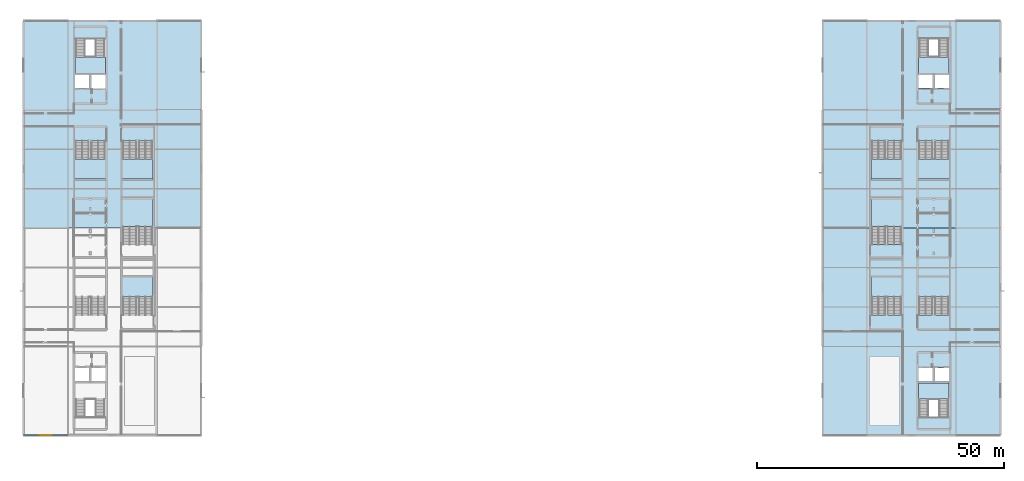
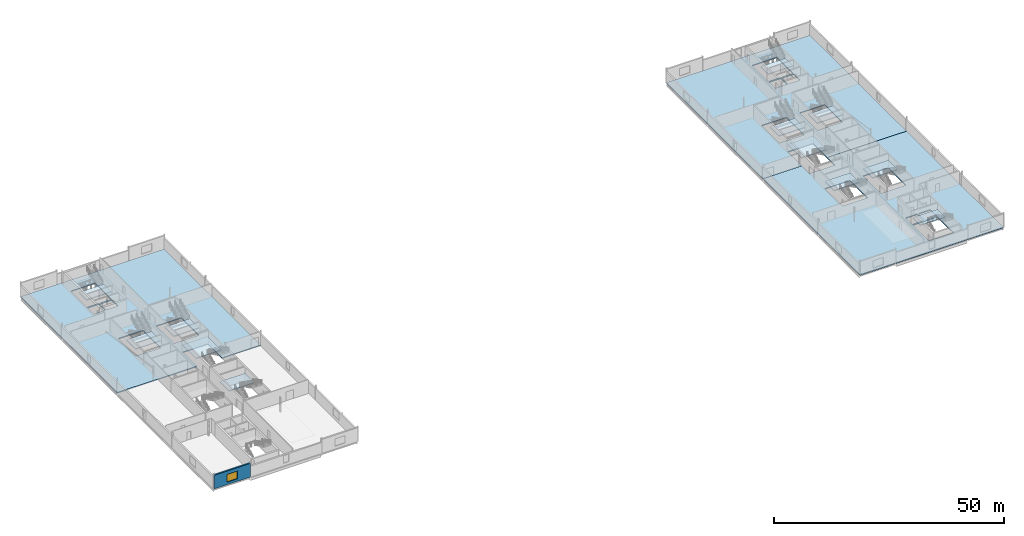
# One storey, part 18 of 35: 15 slabs, 1 wall, 1 window, 1 opening, 12 elements without a shape of their own.
"""IFC4 building model written with IfcOpenShell, lengths in metres."""

from ifc_helpers import new_model, si_unit, direction, frame, frame_2d, origin, place, context, subcontext, project, spatial, polyline, rectangle, outline, extrude, material, layer, layer_set, type_object, element, fill, aggregate, save


model = new_model("IFC4")

# Units and contexts
model_context = context("Model", 3, precision=1e-05, world=origin(), true_north=direction((0.0, 1.0)))
body_context = subcontext(model_context, "Body", "Model", "MODEL_VIEW")
ifc_project = project(units=[si_unit("LENGTHUNIT", "METRE"), si_unit("AREAUNIT", "SQUARE_METRE"), si_unit("VOLUMEUNIT", "CUBIC_METRE"), si_unit("PLANEANGLEUNIT", "RADIAN"), si_unit("MASSUNIT", "GRAM", prefix="KILO")], contexts=[model_context])

# Site, building, storey
site_placement = place(None, origin())
site = spatial("IfcSite", under=ifc_project, at=site_placement, CompositionType="ELEMENT")
building_placement = place(site_placement, origin())
building = spatial("IfcBuilding", under=site, at=building_placement, Name="Kisiwana Market Hall", CompositionType="ELEMENT")
storey_placement = place(building_placement, frame((0.0, 0.0, 61.800048828125)))
storey = spatial("IfcBuildingStorey", under=building, at=storey_placement, Name="L14", CompositionType="ELEMENT", Elevation=61.800048828125)

# Stair, slab
ifc_material_1 = material(Name="Concrete C32/40", Category="concrete")
stair_type_1 = type_object("IfcStairType", Name="ST-TWR-3900", PredefinedType="TWO_STRAIGHT_RUN_STAIR", material=ifc_material_1)
stair_1_placement = place(storey_placement, origin())
stair_1 = element("IfcStair", 1, at=stair_1_placement, inside=storey, type_object=stair_type_1, Name="Escape stair ST-W1-L14", PredefinedType="TWO_STRAIGHT_RUN_STAIR")
ifc_material_2 = material(Name="Concrete C32/40", Category="concrete")
ifc_layer_1 = layer(ifc_material_2, 0.239990234375)
ifc_layer_set_1 = layer_set([ifc_layer_1], Name="SL-LANDING-160")
slab_type_1 = type_object("IfcSlabType", Name="SL-LANDING-160", PredefinedType="LANDING", material=ifc_layer_set_1)
slab_1_placement = place(storey_placement, frame((0.0, 0.0, 1.7099609375)))
slab_1 = element("IfcSlab", 2, at=slab_1_placement, type_object=slab_type_1, Name="ST-W1-L14 landing 1 S-449", PredefinedType="LANDING", context=body_context, shape_type="SweptSolid", body=[
    extrude(outline(polyline([(10.405029296875, 91.35498046875), (16.594970703125, 91.35498046875), (16.594970703125, 94.666015625), (10.405029296875, 94.666015625), (10.405029296875, 91.35498046875)])), origin(), (0.0, 0.0, 1.0), 0.239990234375),
])
aggregate(stair_1, [slab_1])

stair_2_placement = place(storey_placement, origin())
stair_2 = element("IfcStair", 3, at=stair_2_placement, inside=storey, type_object=stair_type_1, Name="Escape stair ST-E2-L14", PredefinedType="TWO_STRAIGHT_RUN_STAIR")
slab_2_placement = place(storey_placement, frame((0.0, 0.0, 1.7099609375)))
slab_2 = element("IfcSlab", 4, at=slab_2_placement, type_object=slab_type_1, Name="ST-E2-L14 landing 1 S-443", PredefinedType="LANDING", context=body_context, shape_type="SweptSolid", body=[
    extrude(outline(polyline([(181.3798828125, 25.30908203125), (187.6201171875, 25.30908203125), (187.6201171875, 28.6201171875), (181.3798828125, 28.6201171875), (181.3798828125, 25.30908203125)])), origin(), (0.0, 0.0, 1.0), 0.239990234375),
])
aggregate(stair_2, [slab_2])

stair_3_placement = place(storey_placement, origin())
stair_3 = element("IfcStair", 5, at=stair_3_placement, inside=storey, type_object=stair_type_1, Name="Escape stair ST-E1-L14", PredefinedType="TWO_STRAIGHT_RUN_STAIR")
slab_3_placement = place(storey_placement, frame((0.0, 0.0, 1.7099609375)))
slab_3 = element("IfcSlab", 6, at=slab_3_placement, type_object=slab_type_1, Name="ST-E1-L14 landing 1 S-442", PredefinedType="LANDING", context=body_context, shape_type="SweptSolid", body=[
    extrude(outline(polyline([(181.3798828125, 91.3798828125), (187.6201171875, 91.3798828125), (187.6201171875, 94.69091796875), (181.3798828125, 94.69091796875), (181.3798828125, 91.3798828125)])), origin(), (0.0, 0.0, 1.0), 0.239990234375),
])
aggregate(stair_3, [slab_3])

ifc_material_3 = material(Name="Concrete C32/40", Category="concrete")
stair_type_2 = type_object("IfcStairType", Name="ST-ESC-3900", PredefinedType="TWO_STRAIGHT_RUN_STAIR", material=ifc_material_3)
stair_4_placement = place(storey_placement, origin())
stair_4 = element("IfcStair", 7, at=stair_4_placement, inside=storey, type_object=stair_type_2, Name="Escape stair ST-W4-L14", PredefinedType="TWO_STRAIGHT_RUN_STAIR")
slab_4_placement = place(storey_placement, frame((0.0, 0.0, 1.7099609375)))
slab_4 = element("IfcSlab", 8, at=slab_4_placement, type_object=slab_type_1, Name="ST-W4-L14 landing 1 S-452", PredefinedType="LANDING", context=body_context, shape_type="SweptSolid", body=[
    extrude(outline(polyline([(10.340087890625, 69.93994140625), (16.659912109375, 69.93994140625), (16.659912109375, 73.98046875), (10.340087890625, 73.98046875), (10.340087890625, 69.93994140625)])), origin(), (0.0, 0.0, 1.0), 0.239990234375),
])
aggregate(stair_4, [slab_4])

stair_5_placement = place(storey_placement, origin())
stair_5 = element("IfcStair", 9, at=stair_5_placement, inside=storey, type_object=stair_type_2, Name="Escape stair ST-E3-L14", PredefinedType="TWO_STRAIGHT_RUN_STAIR")
slab_5_placement = place(storey_placement, frame((0.0, 0.0, 1.7099609375)))
slab_5 = element("IfcSlab", 10, at=slab_5_placement, type_object=slab_type_1, Name="ST-E3-L14 landing 1 S-444", PredefinedType="LANDING", context=body_context, shape_type="SweptSolid", body=[
    extrude(outline(polyline([(181.340087890625, 46.01953125), (187.659912109375, 46.01953125), (187.659912109375, 50.06005859375), (181.340087890625, 50.06005859375), (181.340087890625, 46.01953125)])), origin(), (0.0, 0.0, 1.0), 0.239990234375),
])
aggregate(stair_5, [slab_5])

stair_6_placement = place(storey_placement, origin())
stair_6 = element("IfcStair", 11, at=stair_6_placement, inside=storey, type_object=stair_type_2, Name="Escape stair ST-E4-L14", PredefinedType="TWO_STRAIGHT_RUN_STAIR")
slab_6_placement = place(storey_placement, frame((0.0, 0.0, 1.7099609375)))
slab_6 = element("IfcSlab", 12, at=slab_6_placement, type_object=slab_type_1, Name="ST-E4-L14 landing 1 S-445", PredefinedType="LANDING", context=body_context, shape_type="SweptSolid", body=[
    extrude(outline(polyline([(181.340087890625, 69.93994140625), (187.659912109375, 69.93994140625), (187.659912109375, 73.98046875), (181.340087890625, 73.98046875), (181.340087890625, 69.93994140625)])), origin(), (0.0, 0.0, 1.0), 0.239990234375),
])
aggregate(stair_6, [slab_6])

stair_7_placement = place(storey_placement, origin())
stair_7 = element("IfcStair", 13, at=stair_7_placement, inside=storey, type_object=stair_type_2, Name="Escape stair ST-W7-L14", PredefinedType="TWO_STRAIGHT_RUN_STAIR")
slab_7_placement = place(storey_placement, frame((0.0, 0.0, 1.7099609375)))
slab_7 = element("IfcSlab", 14, at=slab_7_placement, type_object=slab_type_1, Name="ST-W7-L14 landing 1 S-454", PredefinedType="LANDING", context=body_context, shape_type="SweptSolid", body=[
    extrude(outline(polyline([(19.93994140625, 46.01953125), (26.260009765625, 46.01953125), (26.260009765625, 50.06005859375), (19.93994140625, 50.06005859375), (19.93994140625, 46.01953125)])), origin(), (0.0, 0.0, 1.0), 0.239990234375),
])
aggregate(stair_7, [slab_7])

stair_8_placement = place(storey_placement, origin())
stair_8 = element("IfcStair", 15, at=stair_8_placement, inside=storey, type_object=stair_type_2, Name="Escape stair ST-E7-L14", PredefinedType="TWO_STRAIGHT_RUN_STAIR")
slab_8_placement = place(storey_placement, frame((0.0, 0.0, 1.7099609375)))
slab_8 = element("IfcSlab", 16, at=slab_8_placement, type_object=slab_type_1, Name="ST-E7-L14 landing 1 S-447", PredefinedType="LANDING", context=body_context, shape_type="SweptSolid", body=[
    extrude(outline(polyline([(171.739990234375, 46.01953125), (178.06005859375, 46.01953125), (178.06005859375, 50.06005859375), (171.739990234375, 50.06005859375), (171.739990234375, 46.01953125)])), origin(), (0.0, 0.0, 1.0), 0.239990234375),
])
aggregate(stair_8, [slab_8])

stair_9_placement = place(storey_placement, origin())
stair_9 = element("IfcStair", 17, at=stair_9_placement, inside=storey, type_object=stair_type_2, Name="Escape stair ST-W8-L14", PredefinedType="TWO_STRAIGHT_RUN_STAIR")
slab_9_placement = place(storey_placement, frame((0.0, 0.0, 1.7099609375)))
slab_9 = element("IfcSlab", 18, at=slab_9_placement, type_object=slab_type_1, Name="ST-W8-L14 landing 1 S-455", PredefinedType="LANDING", context=body_context, shape_type="SweptSolid", body=[
    extrude(outline(polyline([(19.93994140625, 69.93994140625), (26.260009765625, 69.93994140625), (26.260009765625, 73.98046875), (19.93994140625, 73.98046875), (19.93994140625, 69.93994140625)])), origin(), (0.0, 0.0, 1.0), 0.239990234375),
])
aggregate(stair_9, [slab_9])

stair_10_placement = place(storey_placement, origin())
stair_10 = element("IfcStair", 19, at=stair_10_placement, inside=storey, type_object=stair_type_2, Name="Escape stair ST-E8-L14", PredefinedType="TWO_STRAIGHT_RUN_STAIR")
slab_10_placement = place(storey_placement, frame((0.0, 0.0, 1.7099609375)))
slab_10 = element("IfcSlab", 20, at=slab_10_placement, type_object=slab_type_1, Name="ST-E8-L14 landing 1 S-448", PredefinedType="LANDING", context=body_context, shape_type="SweptSolid", body=[
    extrude(outline(polyline([(171.739990234375, 69.93994140625), (178.06005859375, 69.93994140625), (178.06005859375, 73.98046875), (171.739990234375, 73.98046875), (171.739990234375, 69.93994140625)])), origin(), (0.0, 0.0, 1.0), 0.239990234375),
])
aggregate(stair_10, [slab_10])

stair_11_placement = place(storey_placement, origin())
stair_11 = element("IfcStair", 21, at=stair_11_placement, inside=storey, type_object=stair_type_2, Name="Escape stair ST-W5-L14", PredefinedType="TWO_STRAIGHT_RUN_STAIR")
slab_11_placement = place(storey_placement, frame((0.0, 0.0, 1.7099609375)))
slab_11 = element("IfcSlab", 22, at=slab_11_placement, type_object=slab_type_1, Name="ST-W5-L14 landing 1 S-453", PredefinedType="LANDING", context=body_context, shape_type="SweptSolid", body=[
    extrude(outline(polyline([(19.93994140625, 60.299560546875), (26.260009765625, 60.299560546875), (26.260009765625, 66.179931640625), (19.93994140625, 66.179931640625), (19.93994140625, 60.299560546875)])), origin(), (0.0, 0.0, 1.0), 0.239990234375),
])
aggregate(stair_11, [slab_11])

stair_12_placement = place(storey_placement, origin())
stair_12 = element("IfcStair", 23, at=stair_12_placement, inside=storey, type_object=stair_type_2, Name="Escape stair ST-E5-L14", PredefinedType="TWO_STRAIGHT_RUN_STAIR")
slab_12_placement = place(storey_placement, frame((0.0, 0.0, 1.7099609375)))
slab_12 = element("IfcSlab", 24, at=slab_12_placement, type_object=slab_type_1, Name="ST-E5-L14 landing 1 S-446", PredefinedType="LANDING", context=body_context, shape_type="SweptSolid", body=[
    extrude(outline(polyline([(171.739990234375, 60.299560546875), (178.06005859375, 60.299560546875), (178.06005859375, 66.179931640625), (171.739990234375, 66.179931640625), (171.739990234375, 60.299560546875)])), origin(), (0.0, 0.0, 1.0), 0.239990234375),
])
aggregate(stair_12, [slab_12])

# Slabs
ifc_material_4 = material(Name="Concrete C32/40", Category="concrete")
ifc_layer_2 = layer(ifc_material_4, 0.2451171875)
ifc_layer_set_2 = layer_set([ifc_layer_2], Name="SL-OFF-175")
slab_type_2 = type_object("IfcSlabType", Name="SL-OFF-175", PredefinedType="FLOOR", material=ifc_layer_set_2)
slab_13_placement = place(storey_placement, frame((0.0, 0.0, -0.2451171875)))
element("IfcSlab", 25, at=slab_13_placement, inside=storey, type_object=slab_type_2, Name="Structural slab S-439", PredefinedType="FLOOR", context=body_context, shape_type="SweptSolid", body=[
    extrude(outline(polyline([(0.0, 60.0), (19.9599609375, 60.0), (19.9599609375, 66.159912109375), (26.239990234375, 66.159912109375), (26.239990234375, 60.0), (36.0, 60.0), (36.0, 102.0), (0.0, 102.0), (0.0, 60.0)]), holes=[polyline([(10.425048828125, 91.375), (16.574951171875, 91.375), (16.574951171875, 98.324951171875), (10.425048828125, 98.324951171875), (10.425048828125, 91.375)]), polyline([(10.425048828125, 88.324951171875), (13.340087890625, 88.324951171875), (13.340087890625, 91.054931640625), (10.425048828125, 91.054931640625), (10.425048828125, 88.324951171875)]), polyline([(13.659912109375, 88.324951171875), (16.574951171875, 88.324951171875), (16.574951171875, 91.054931640625), (13.659912109375, 91.054931640625), (13.659912109375, 88.324951171875)]), polyline([(10.360107421875, 69.9599609375), (16.639892578125, 69.9599609375), (16.639892578125, 77.6201171875), (10.360107421875, 77.6201171875), (10.360107421875, 69.9599609375)]), polyline([(19.9599609375, 69.9599609375), (26.239990234375, 69.9599609375), (26.239990234375, 77.6201171875), (19.9599609375, 77.6201171875), (19.9599609375, 69.9599609375)])]), origin(), (0.0, 0.0, 1.0), 0.2451171875),
])
slab_14_placement = place(storey_placement, frame((0.0, 0.0, -0.2451171875)))
element("IfcSlab", 26, at=slab_14_placement, inside=storey, type_object=slab_type_2, Name="Structural slab S-440", PredefinedType="FLOOR", context=body_context, shape_type="SweptSolid", body=[
    extrude(outline(polyline([(162.0, 18.0), (198.0, 18.0), (198.0, 60.0), (178.0400390625, 60.0), (178.0400390625, 56.659912109375), (171.760009765625, 56.659912109375), (171.760009765625, 60.0), (162.0, 60.0), (162.0, 18.0)]), holes=[polyline([(181.39990234375, 21.64990234375), (187.60009765625, 21.64990234375), (187.60009765625, 28.60009765625), (181.39990234375, 28.60009765625), (181.39990234375, 21.64990234375)]), polyline([(181.39990234375, 28.919921875), (184.340087890625, 28.919921875), (184.340087890625, 31.64990234375), (181.39990234375, 31.64990234375), (181.39990234375, 28.919921875)]), polyline([(184.659912109375, 28.919921875), (187.60009765625, 28.919921875), (187.60009765625, 31.64990234375), (184.659912109375, 31.64990234375), (184.659912109375, 28.919921875)]), polyline([(181.360107421875, 42.3798828125), (187.639892578125, 42.3798828125), (187.639892578125, 50.0400390625), (181.360107421875, 50.0400390625), (181.360107421875, 42.3798828125)]), polyline([(171.760009765625, 42.3798828125), (178.0400390625, 42.3798828125), (178.0400390625, 50.0400390625), (171.760009765625, 50.0400390625), (171.760009765625, 42.3798828125)])]), origin(), (0.0, 0.0, 1.0), 0.2451171875),
])
slab_15_placement = place(storey_placement, frame((0.0, 0.0, -0.2451171875)))
element("IfcSlab", 27, at=slab_15_placement, inside=storey, type_object=slab_type_2, Name="Structural slab S-441", PredefinedType="FLOOR", context=body_context, shape_type="SweptSolid", body=[
    extrude(outline(polyline([(162.0, 60.0), (171.760009765625, 60.0), (171.760009765625, 66.159912109375), (178.0400390625, 66.159912109375), (178.0400390625, 60.0), (198.0, 60.0), (198.0, 102.0), (162.0, 102.0), (162.0, 60.0)]), holes=[polyline([(181.39990234375, 91.39990234375), (187.60009765625, 91.39990234375), (187.60009765625, 98.35009765625), (181.39990234375, 98.35009765625), (181.39990234375, 91.39990234375)]), polyline([(181.39990234375, 88.35009765625), (184.340087890625, 88.35009765625), (184.340087890625, 91.080078125), (181.39990234375, 91.080078125), (181.39990234375, 88.35009765625)]), polyline([(184.659912109375, 88.35009765625), (187.60009765625, 88.35009765625), (187.60009765625, 91.080078125), (184.659912109375, 91.080078125), (184.659912109375, 88.35009765625)]), polyline([(181.360107421875, 69.9599609375), (187.639892578125, 69.9599609375), (187.639892578125, 77.6201171875), (181.360107421875, 77.6201171875), (181.360107421875, 69.9599609375)]), polyline([(171.760009765625, 69.9599609375), (178.0400390625, 69.9599609375), (178.0400390625, 77.6201171875), (171.760009765625, 77.6201171875), (171.760009765625, 69.9599609375)])]), origin(), (0.0, 0.0, 1.0), 0.2451171875),
])

# Wall, opening, window
ifc_material_5 = material(Name="Concrete C40/50 precast", Category="concrete")
ifc_layer_3 = layer(ifc_material_5, 0.364990234375)
ifc_layer_set_3 = layer_set([ifc_layer_3], Name="WL-EXT-365")
wall_type = type_object("IfcWallType", Name="WL-EXT-365", PredefinedType="STANDARD", material=ifc_layer_set_3)
wall_placement = place(storey_placement, frame((0.010009765625, 18.0, 0.0), z_axis=(0.0, 0.0, 1.0), x_axis=(1.0, 0.0, 0.0)))
wall = element("IfcWall", 28, at=wall_placement, inside=storey, type_object=wall_type, Name="Exterior wall W-3283", PredefinedType="STANDARD", context=body_context, shape_type="SweptSolid", body=[
    extrude(rectangle(XDim=8.97998046875, YDim=0.364990234375, at=frame_2d((4.489990234375, 0.0))), origin(), (0.0, 0.0, 1.0), 3.655029296875),
])
opening_placement = place(wall_placement, frame((3.18994140625, 0.0, 0.699951171875)))
opening = element("IfcOpeningElement", 29, at=opening_placement, cuts=wall, Name="Opening WN-13", PredefinedType="OPENING", context=body_context, shape_type="SweptSolid", body=[
    extrude(rectangle(XDim=2.60009765625, YDim=2.0, at=frame_2d((1.300048828125, 1.0))), frame((0.0, 0.1943359375, 0.0), z_axis=(0.0, -1.0, 0.0), x_axis=(1.0, 0.0, 0.0)), (0.0, 0.0, 1.0), 0.388916015625),
])
ifc_material_6 = material(Name="Double-glazed solar-control low-E IGU", Category="glass")
window_type = type_object("IfcWindowType", Name="WN-OFFC-2600x2000", PartitioningType="SINGLE_PANEL", PredefinedType="WINDOW", material=ifc_material_6)
window_placement = place(opening_placement, origin())
window = element("IfcWindow", 30, at=window_placement, inside=storey, type_object=window_type, Name="Exterior window WN-394", OverallHeight=2.0, OverallWidth=2.60009765625, PartitioningType="SINGLE_PANEL", PredefinedType="WINDOW", context=body_context, shape_type="SweptSolid", body=[
    extrude(rectangle(XDim=2.60009765625, YDim=2.0, at=frame_2d((1.300048828125, 1.0))), frame((0.0, 0.030029296875, 0.0), z_axis=(0.0, -1.0, 0.0), x_axis=(1.0, 0.0, 0.0)), (0.0, 0.0, 1.0), 0.06005859375),
])
fill(opening, window)

save(model, "model.ifc")
